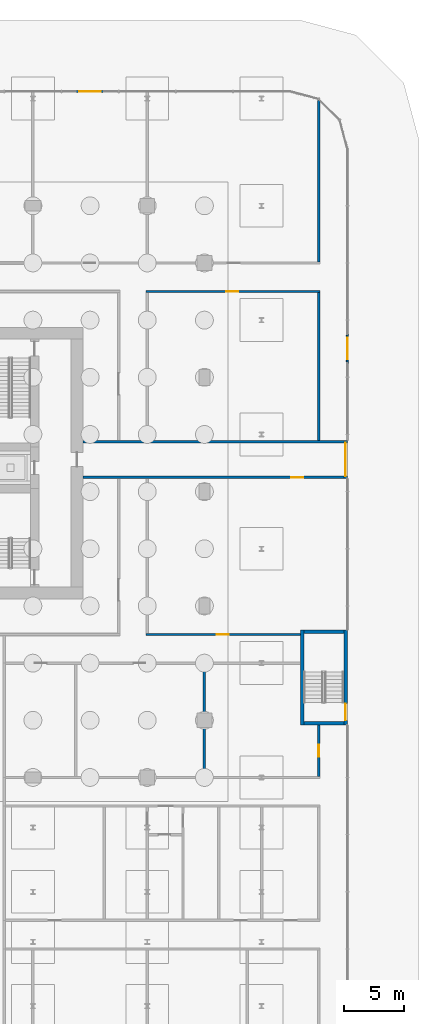
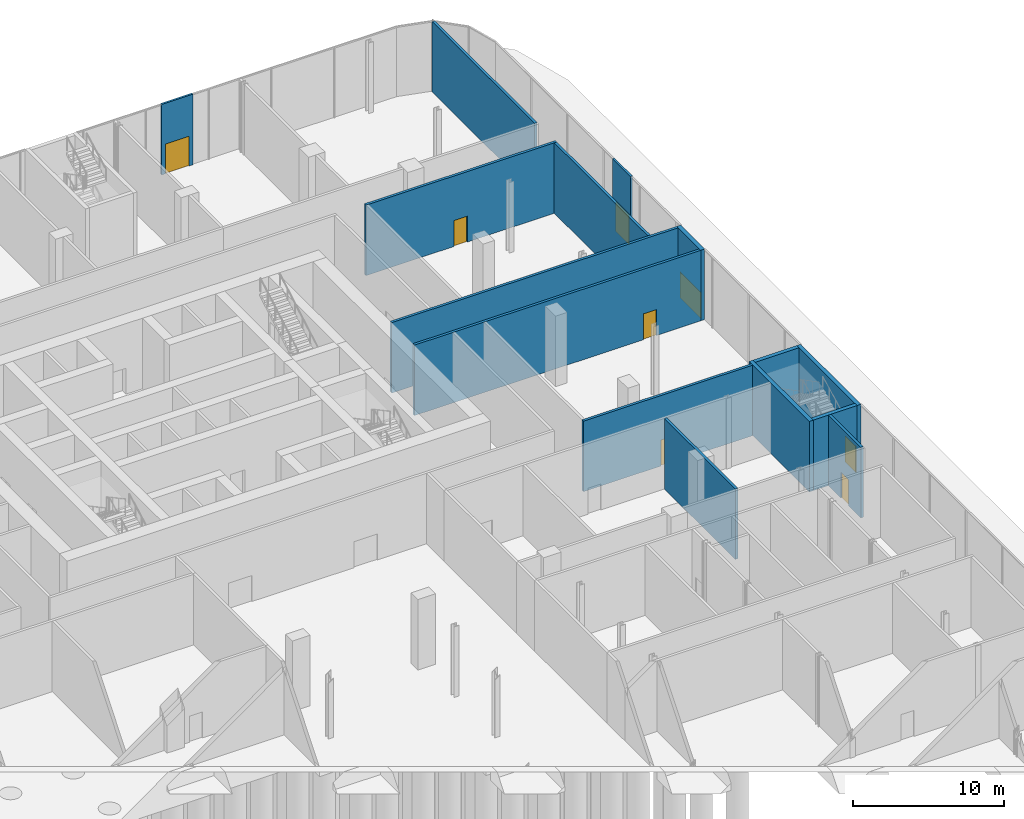
# One storey, part 36 of 44: 15 walls, 8 doors, 8 openings.
"""IFC4 building model written with IfcOpenShell, lengths in metres."""

from ifc_helpers import new_model, si_unit, direction, frame, frame_2d, origin, place, context, subcontext, project, spatial, rectangle, extrude, material, layer, layer_set, type_object, element, fill, save


model = new_model("IFC4")

# Units and contexts
model_context = context("Model", 3, precision=1e-05, world=origin(), true_north=direction((0.0, 1.0)))
body_context = subcontext(model_context, "Body", "Model", "MODEL_VIEW")
ifc_project = project(units=[si_unit("LENGTHUNIT", "METRE"), si_unit("AREAUNIT", "SQUARE_METRE"), si_unit("VOLUMEUNIT", "CUBIC_METRE"), si_unit("PLANEANGLEUNIT", "RADIAN"), si_unit("MASSUNIT", "GRAM", prefix="KILO")], contexts=[model_context])

# Site, building, storey
site_placement = place(None, origin())
site = spatial("IfcSite", under=ifc_project, at=site_placement, CompositionType="ELEMENT")
building_placement = place(site_placement, origin())
building = spatial("IfcBuilding", under=site, at=building_placement, Name="Madar Terraces", CompositionType="ELEMENT")
storey_placement = place(building_placement, origin())
storey = spatial("IfcBuildingStorey", under=building, at=storey_placement, Name="L00", CompositionType="ELEMENT", Elevation=0.0)

# Wall, opening, door
ifc_material_1 = material(Name="Concrete C40/50", Category="concrete")
ifc_layer_1 = layer(ifc_material_1, 0.300048828125)
ifc_layer_set_1 = layer_set([ifc_layer_1], Name="Exit passage end wall 300 C40/50")
wall_type_1 = type_object("IfcWallType", Name="Exit passage end wall 300 C40/50", PredefinedType="SOLIDWALL", material=ifc_layer_set_1)
wall_1_placement = place(storey_placement, frame((69.449951171875, 25.10009765625, 0.0), z_axis=(0.0, 0.0, 1.0), x_axis=(0.0, 1.0, 0.0)))
wall_1 = element("IfcWall", 1, at=wall_1_placement, inside=storey, type_object=wall_type_1, Name="EXIT PASSAGE END WALL", PredefinedType="SOLIDWALL", context=body_context, shape_type="SweptSolid", body=[
    extrude(rectangle(XDim=3.199951171875, YDim=0.300048828125, at=frame_2d((1.60009765625, 0.0))), origin(), (0.0, 0.0, 1.0), 5.699951171875),
])
opening_1_placement = place(wall_1_placement, frame((0.199951171875, 0.0, 0.0)))
opening_1 = element("IfcOpeningElement", 2, at=opening_1_placement, cuts=wall_1, Name="Opening XD1", PredefinedType="OPENING", context=body_context, shape_type="SweptSolid", body=[
    extrude(rectangle(XDim=2.800048828125, YDim=2.10009765625, at=frame_2d((1.39990234375, 1.050048828125))), frame((0.0, 0.159912109375, 0.0), z_axis=(0.0, -1.0, 0.0), x_axis=(1.0, 0.0, 0.0)), (0.0, 0.0, 1.0), 0.320068359375),
])
ifc_material_2 = material(Name="Steel door leaf", Category="steel")
door_type_1 = type_object("IfcDoorType", Name="Exit passage door pair 2800 x 2100", OperationType="DOUBLE_DOOR_SINGLE_SWING", PredefinedType="DOOR", material=ifc_material_2)
door_1_placement = place(opening_1_placement, frame((2.800048828125, 0.0, 0.0), z_axis=(0.0, 0.0, 1.0), x_axis=(-1.0, 0.0, 0.0)))
door_1 = element("IfcDoor", 3, at=door_1_placement, inside=storey, type_object=door_type_1, Name="EXIT DOOR", OperationType="DOUBLE_DOOR_SINGLE_SWING", OverallHeight=2.10009765625, OverallWidth=2.800048828125, PredefinedType="DOOR", context=body_context, shape_type="SweptSolid", body=[
    extrude(rectangle(XDim=2.800048828125, YDim=2.10009765625, at=frame_2d((1.39990234375, 1.050048828125))), frame((0.0, 0.02490234375, 0.0), z_axis=(0.0, -1.0, 0.0), x_axis=(1.0, 0.0, 0.0)), (0.0, 0.0, 1.0), 0.050048828125),
])
fill(opening_1, door_1)

ifc_material_3 = material(Name="Masonry blockwork", Category="masonry")
ifc_layer_2 = layer(ifc_material_3, 0.199951171875)
ifc_layer_set_2 = layer_set([ifc_layer_2], Name="Exit passage wall 200 blockwork")
wall_type_2 = type_object("IfcWallType", Name="Exit passage wall 200 blockwork", PredefinedType="PARTITIONING", material=ifc_layer_set_2)
wall_2_placement = place(storey_placement, frame((47.39990234375, 25.199951171875, 0.0), z_axis=(0.0, 0.0, 1.0), x_axis=(1.0, 0.0, 0.0)))
wall_2 = element("IfcWall", 4, at=wall_2_placement, inside=storey, type_object=wall_type_2, Name="EXIT PASSAGE WALL", PredefinedType="PARTITIONING", context=body_context, shape_type="SweptSolid", body=[
    extrude(rectangle(XDim=21.900146484375, YDim=0.199951171875, at=frame_2d((10.9501953125, 0.0))), origin(), (0.0, 0.0, 1.0), 5.699951171875),
])
opening_2_placement = place(wall_2_placement, frame((17.5, 0.0, 0.0)))
opening_2 = element("IfcOpeningElement", 5, at=opening_2_placement, cuts=wall_2, Name="Opening KD2", PredefinedType="OPENING", context=body_context, shape_type="SweptSolid", body=[
    extrude(rectangle(XDim=1.0, YDim=2.10009765625, at=frame_2d((0.5, 1.050048828125))), frame((0.0, 0.10986328125, 0.0), z_axis=(0.0, -1.0, 0.0), x_axis=(1.0, 0.0, 0.0)), (0.0, 0.0, 1.0), 0.219970703125),
])
ifc_material_4 = material(Name="Steel door leaf", Category="steel")
door_type_2 = type_object("IfcDoorType", Name="Service room door 1000 x 2100", OperationType="NOTDEFINED", PredefinedType="DOOR", material=ifc_material_4)
door_2_placement = place(opening_2_placement, origin())
door_2 = element("IfcDoor", 6, at=door_2_placement, inside=storey, type_object=door_type_2, Name="SERVICE ROOM DOOR", OperationType="SINGLE_SWING_LEFT", OverallHeight=2.10009765625, OverallWidth=1.0, PredefinedType="DOOR", context=body_context, shape_type="SweptSolid", body=[
    extrude(rectangle(XDim=1.0, YDim=2.10009765625, at=frame_2d((0.5, 1.050048828125))), frame((0.0, 0.02490234375, 0.0), z_axis=(0.0, -1.0, 0.0), x_axis=(1.0, 0.0, 0.0)), (0.0, 0.0, 1.0), 0.050048828125),
])
fill(opening_2, door_2)

# Wall
wall_3_placement = place(storey_placement, frame((47.39990234375, 28.199951171875, 0.0), z_axis=(0.0, 0.0, 1.0), x_axis=(1.0, 0.0, 0.0)))
element("IfcWall", 7, at=wall_3_placement, inside=storey, type_object=wall_type_2, Name="EXIT PASSAGE WALL", PredefinedType="PARTITIONING", context=body_context, shape_type="SweptSolid", body=[
    extrude(rectangle(XDim=21.900146484375, YDim=0.199951171875, at=frame_2d((10.9501953125, 0.0))), origin(), (0.0, 0.0, 1.0), 5.699951171875),
])

# Wall, opening, door
ifc_material_5 = material(Name="Aluminium composite panel, black, over insulated backing", Category="aluminium")
ifc_layer_3 = layer(ifc_material_5, 0.14990234375)
ifc_layer_set_3 = layer_set([ifc_layer_3], Name="Facade bay panel 150")
wall_type_3 = type_object("IfcWallType", Name="Facade bay panel 150", PredefinedType="SOLIDWALL", material=ifc_layer_set_3)
wall_4_placement = place(storey_placement, frame((69.60009765625, 34.800048828125, 0.0), z_axis=(0.0, 0.0, 1.0), x_axis=(0.0, 1.0, 0.0)))
wall_4 = element("IfcWall", 8, at=wall_4_placement, inside=storey, type_object=wall_type_3, Name="Facade bay panel", PredefinedType="SOLIDWALL", context=body_context, shape_type="SweptSolid", body=[
    extrude(rectangle(XDim=2.39990234375, YDim=0.14990234375, at=frame_2d((1.199951171875, 0.0))), origin(), (0.0, 0.0, 1.0), 5.699951171875),
])
opening_3_placement = place(wall_4_placement, frame((0.300048828125, 0.0, 0.0)))
opening_3 = element("IfcOpeningElement", 9, at=opening_3_placement, cuts=wall_4, Name="Opening ED1", PredefinedType="OPENING", context=body_context, shape_type="SweptSolid", body=[
    extrude(rectangle(XDim=1.800048828125, YDim=2.39990234375, at=frame_2d((0.89990234375, 1.199951171875))), frame((0.0, 0.0849609375, 0.0), z_axis=(0.0, -1.0, 0.0), x_axis=(1.0, 0.0, 0.0)), (0.0, 0.0, 1.0), 0.169921875),
])
ifc_material_6 = material(Name="Glass, clear, with black aluminium frame", Category="aluminium")
door_type_3 = type_object("IfcDoorType", Name="Balcony and terrace sliding door 1800 x 2400", OperationType="SLIDING_TO_LEFT", PredefinedType="DOOR", material=ifc_material_6)
door_3_placement = place(opening_3_placement, origin())
door_3 = element("IfcDoor", 10, at=door_3_placement, inside=storey, type_object=door_type_3, Name="Balcony door", OperationType="SLIDING_TO_RIGHT", OverallHeight=2.39990234375, OverallWidth=1.800048828125, PredefinedType="DOOR", context=body_context, shape_type="SweptSolid", body=[
    extrude(rectangle(XDim=1.800048828125, YDim=2.39990234375, at=frame_2d((0.89990234375, 1.199951171875))), frame((0.0, 0.02490234375, 0.0), z_axis=(0.0, -1.0, 0.0), x_axis=(1.0, 0.0, 0.0)), (0.0, 0.0, 1.0), 0.050048828125),
])
fill(opening_3, door_3)

wall_5_placement = place(storey_placement, frame((46.800048828125, 57.60009765625, 0.0), z_axis=(0.0, 0.0, 1.0), x_axis=(1.0, 0.0, 0.0)))
wall_5 = element("IfcWall", 11, at=wall_5_placement, inside=storey, type_object=wall_type_3, Name="Facade bay panel", PredefinedType="SOLIDWALL", context=body_context, shape_type="SweptSolid", body=[
    extrude(rectangle(XDim=2.39990234375, YDim=0.14990234375, at=frame_2d((1.199951171875, 0.0))), origin(), (0.0, 0.0, 1.0), 5.699951171875),
])
opening_4_placement = place(wall_5_placement, frame((0.300048828125, 0.0, 0.0)))
opening_4 = element("IfcOpeningElement", 12, at=opening_4_placement, cuts=wall_5, Name="Opening ED8", PredefinedType="OPENING", context=body_context, shape_type="SweptSolid", body=[
    extrude(rectangle(XDim=1.800048828125, YDim=2.39990234375, at=frame_2d((0.89990234375, 1.199951171875))), frame((0.0, 0.0849609375, 0.0), z_axis=(0.0, -1.0, 0.0), x_axis=(1.0, 0.0, 0.0)), (0.0, 0.0, 1.0), 0.169921875),
])
ifc_material_7 = material(Name="Steel, powder-coated", Category="steel")
door_type_4 = type_object("IfcDoorType", Name="Service double door 1800 x 2400", OperationType="NOTDEFINED", PredefinedType="DOOR", material=ifc_material_7)
door_4_placement = place(opening_4_placement, origin())
door_4 = element("IfcDoor", 13, at=door_4_placement, inside=storey, type_object=door_type_4, Name="Service door", OperationType="DOUBLE_DOOR_SINGLE_SWING", OverallHeight=2.39990234375, OverallWidth=1.800048828125, PredefinedType="DOOR", context=body_context, shape_type="SweptSolid", body=[
    extrude(rectangle(XDim=1.800048828125, YDim=2.39990234375, at=frame_2d((0.89990234375, 1.199951171875))), frame((0.0, 0.02490234375, 0.0), z_axis=(0.0, -1.0, 0.0), x_axis=(1.0, 0.0, 0.0)), (0.0, 0.0, 1.0), 0.050048828125),
])
fill(opening_4, door_4)

ifc_material_8 = material(Name="Blockwork", Category="masonry")
ifc_layer_4 = layer(ifc_material_8, 0.199951171875)
ifc_layer_set_4 = layer_set([ifc_layer_4], Name="Partition 200 EI 120")
wall_type_4 = type_object("IfcWallType", Name="Partition 200 EI 120", PredefinedType="PARTITIONING", material=ifc_layer_set_4)
wall_6_placement = place(storey_placement, frame((52.699951171875, 12.0, 0.0), z_axis=(0.0, 0.0, 1.0), x_axis=(1.0, 0.0, 0.0)))
wall_6 = element("IfcWall", 14, at=wall_6_placement, inside=storey, type_object=wall_type_4, Name="Wall SWITCH ROOM / PODIUM CORRIDOR", PredefinedType="PARTITIONING", context=body_context, shape_type="SweptSolid", body=[
    extrude(rectangle(XDim=12.949951171875, YDim=0.199951171875, at=frame_2d((6.47509765625, 0.0))), origin(), (0.0, 0.0, 1.0), 5.699951171875),
])
opening_5_placement = place(wall_6_placement, frame((5.949951171875, 0.0, 0.0)))
opening_5 = element("IfcOpeningElement", 15, at=opening_5_placement, cuts=wall_6, Name="Opening D33", PredefinedType="OPENING", context=body_context, shape_type="SweptSolid", body=[
    extrude(rectangle(XDim=1.0, YDim=2.10009765625, at=frame_2d((0.5, 1.050048828125))), frame((0.0, 0.10986328125, 0.0), z_axis=(0.0, -1.0, 0.0), x_axis=(1.0, 0.0, 0.0)), (0.0, 0.0, 1.0), 0.219970703125),
])
ifc_material_9 = material(Name="Timber door leaf, fire-rated", Category="wood")
door_type_5 = type_object("IfcDoorType", Name="Podium door 1000 x 2100 FD90S", OperationType="NOTDEFINED", PredefinedType="DOOR", material=ifc_material_9)
door_5_placement = place(opening_5_placement, origin())
door_5 = element("IfcDoor", 16, at=door_5_placement, inside=storey, type_object=door_type_5, Name="Door SWITCH ROOM / PODIUM CORRIDOR", OperationType="SINGLE_SWING_LEFT", OverallHeight=2.10009765625, OverallWidth=1.0, PredefinedType="DOOR", context=body_context, shape_type="SweptSolid", body=[
    extrude(rectangle(XDim=1.0, YDim=2.10009765625, at=frame_2d((0.5, 1.050048828125))), frame((0.0, 0.02490234375, 0.0), z_axis=(0.0, -1.0, 0.0), x_axis=(1.0, 0.0, 0.0)), (0.0, 0.0, 1.0), 0.050048828125),
])
fill(opening_5, door_5)

# Wall
wall_7_placement = place(storey_placement, frame((67.199951171875, 43.300048828125, 0.0), z_axis=(0.0, 0.0, 1.0), x_axis=(0.0, 1.0, 0.0)))
element("IfcWall", 17, at=wall_7_placement, inside=storey, type_object=wall_type_4, Name="Wall ENERGY CENTRE / PODIUM CORRIDOR", PredefinedType="PARTITIONING", context=body_context, shape_type="SweptSolid", body=[
    extrude(rectangle(XDim=13.56005859375, YDim=0.199951171875, at=frame_2d((6.780029296875, 0.0))), origin(), (0.0, 0.0, 1.0), 5.699951171875),
])

# Wall, opening, door
ifc_material_10 = material(Name="Gypsum board partition, fire-rated")
ifc_layer_5 = layer(ifc_material_10, 0.199951171875)
ifc_layer_set_5 = layer_set([ifc_layer_5], Name="Partition 200 EI 60")
wall_type_5 = type_object("IfcWallType", Name="Partition 200 EI 60", PredefinedType="PARTITIONING", material=ifc_layer_set_5)
wall_8_placement = place(storey_placement, frame((67.300048828125, 40.800048828125, 0.0), z_axis=(0.0, 0.0, 1.0), x_axis=(-1.0, 0.0, 0.0)))
wall_8 = element("IfcWall", 18, at=wall_8_placement, inside=storey, type_object=wall_type_5, Name="Wall STAFF ROOM / PODIUM CORRIDOR", PredefinedType="PARTITIONING", context=body_context, shape_type="SweptSolid", body=[
    extrude(rectangle(XDim=14.60009765625, YDim=0.199951171875, at=frame_2d((7.300048828125, 0.0))), origin(), (0.0, 0.0, 1.0), 5.699951171875),
])
opening_6_placement = place(wall_8_placement, frame((6.85009765625, 0.0, 0.0)))
opening_6 = element("IfcOpeningElement", 19, at=opening_6_placement, cuts=wall_8, Name="Opening D31", PredefinedType="OPENING", context=body_context, shape_type="SweptSolid", body=[
    extrude(rectangle(XDim=1.0, YDim=2.10009765625, at=frame_2d((0.5, 1.050048828125))), frame((0.0, 0.10986328125, 0.0), z_axis=(0.0, -1.0, 0.0), x_axis=(1.0, 0.0, 0.0)), (0.0, 0.0, 1.0), 0.219970703125),
])
ifc_material_11 = material(Name="Timber door leaf, fire-rated", Category="wood")
door_type_6 = type_object("IfcDoorType", Name="Podium door 1000 x 2100 FD30S", OperationType="NOTDEFINED", PredefinedType="DOOR", material=ifc_material_11)
door_6_placement = place(opening_6_placement, origin())
door_6 = element("IfcDoor", 20, at=door_6_placement, inside=storey, type_object=door_type_6, Name="Door STAFF ROOM / PODIUM CORRIDOR", OperationType="SINGLE_SWING_RIGHT", OverallHeight=2.10009765625, OverallWidth=1.0, PredefinedType="DOOR", context=body_context, shape_type="SweptSolid", body=[
    extrude(rectangle(XDim=1.0, YDim=2.10009765625, at=frame_2d((0.5, 1.050048828125))), frame((0.0, 0.02490234375, 0.0), z_axis=(0.0, -1.0, 0.0), x_axis=(1.0, 0.0, 0.0)), (0.0, 0.0, 1.0), 0.050048828125),
])
fill(opening_6, door_6)

# Wall
wall_9_placement = place(storey_placement, frame((57.60009765625, 0.10009765625, 0.0), z_axis=(0.0, 0.0, 1.0), x_axis=(0.0, 1.0, 0.0)))
element("IfcWall", 21, at=wall_9_placement, inside=storey, type_object=wall_type_5, Name="Wall HOUSING OFFICE / OFFICE", PredefinedType="PARTITIONING", context=body_context, shape_type="SweptSolid", body=[
    extrude(rectangle(XDim=9.39990234375, YDim=0.199951171875, at=frame_2d((4.699951171875, 0.0))), origin(), (0.0, 0.0, 1.0), 5.699951171875),
])

# Wall, opening, door
wall_10_placement = place(storey_placement, frame((67.199951171875, 0.10009765625, 0.0), z_axis=(0.0, 0.0, 1.0), x_axis=(0.0, 1.0, 0.0)))
wall_10 = element("IfcWall", 22, at=wall_10_placement, inside=storey, type_object=wall_type_5, Name="Wall OFFICE / PODIUM CORRIDOR", PredefinedType="PARTITIONING", context=body_context, shape_type="SweptSolid", body=[
    extrude(rectangle(XDim=4.2998046875, YDim=0.199951171875, at=frame_2d((2.14990234375, 0.0))), origin(), (0.0, 0.0, 1.0), 5.699951171875),
])
opening_7_placement = place(wall_10_placement, frame((1.64990234375, 0.0, 0.0)))
opening_7 = element("IfcOpeningElement", 23, at=opening_7_placement, cuts=wall_10, Name="Opening D31", PredefinedType="OPENING", context=body_context, shape_type="SweptSolid", body=[
    extrude(rectangle(XDim=1.0, YDim=2.10009765625, at=frame_2d((0.5, 1.050048828125))), frame((0.0, 0.10986328125, 0.0), z_axis=(0.0, -1.0, 0.0), x_axis=(1.0, 0.0, 0.0)), (0.0, 0.0, 1.0), 0.219970703125),
])
door_7_placement = place(opening_7_placement, origin())
door_7 = element("IfcDoor", 24, at=door_7_placement, inside=storey, type_object=door_type_6, Name="Door OFFICE / PODIUM CORRIDOR", OperationType="SINGLE_SWING_LEFT", OverallHeight=2.10009765625, OverallWidth=1.0, PredefinedType="DOOR", context=body_context, shape_type="SweptSolid", body=[
    extrude(rectangle(XDim=1.0, YDim=2.10009765625, at=frame_2d((0.5, 1.050048828125))), frame((0.0, 0.02490234375, 0.0), z_axis=(0.0, -1.0, 0.0), x_axis=(1.0, 0.0, 0.0)), (0.0, 0.0, 1.0), 0.050048828125),
])
fill(opening_7, door_7)

# Walls
wall_11_placement = place(storey_placement, frame((67.199951171875, 28.300048828125, 0.0), z_axis=(0.0, 0.0, 1.0), x_axis=(0.0, 1.0, 0.0)))
element("IfcWall", 25, at=wall_11_placement, inside=storey, type_object=wall_type_5, Name="Wall STAFF ROOM / PODIUM CORRIDOR", PredefinedType="PARTITIONING", context=body_context, shape_type="SweptSolid", body=[
    extrude(rectangle(XDim=12.39990234375, YDim=0.199951171875, at=frame_2d((6.199951171875, 0.0))), origin(), (0.0, 0.0, 1.0), 5.699951171875),
])
ifc_material_12 = material(Name="Concrete C40/50", Category="concrete")
ifc_layer_6 = layer(ifc_material_12, 0.300048828125)
ifc_layer_set_6 = layer_set([ifc_layer_6], Name="Podium stair wall 300 C40/50")
wall_type_6 = type_object("IfcWallType", Name="Podium stair wall 300 C40/50", PredefinedType="SOLIDWALL", material=ifc_layer_set_6)
wall_12_placement = place(storey_placement, frame((65.800048828125, 4.39990234375, 0.0), z_axis=(0.0, 0.0, 1.0), x_axis=(0.0, 1.0, 0.0)))
element("IfcWall", 26, at=wall_12_placement, inside=storey, type_object=wall_type_6, Name="PODIUM STAIR WALL", PredefinedType="SOLIDWALL", context=body_context, shape_type="SweptSolid", body=[
    extrude(rectangle(XDim=8.0, YDim=0.300048828125, at=frame_2d((4.0, 0.0))), origin(), (0.0, 0.0, 1.0), 5.699951171875),
])
for number, where, z_axis, x_axis, name in (
    (27, (65.949951171875, 4.550048828125, 0.0), (0.0, 0.0, 1.0), (1.0, 0.0, 0.0), "PODIUM STAIR WALL"),
    (28, (65.949951171875, 12.25, 0.0), (0.0, 0.0, 1.0), (1.0, 0.0, 0.0), "PODIUM STAIR WALL"),
):
    element("IfcWall", number, at=place(storey_placement, frame(where, z_axis=z_axis, x_axis=x_axis)), inside=storey, type_object=wall_type_6, Name=name, PredefinedType="SOLIDWALL", context=body_context, shape_type="SweptSolid", body=[
        extrude(rectangle(XDim=3.35009765625, YDim=0.300048828125, at=frame_2d((1.675048828125, 0.0))), origin(), (0.0, 0.0, 1.0), 5.699951171875),
    ])

# Wall, opening, door
ifc_material_13 = material(Name="Concrete C40/50", Category="concrete")
ifc_layer_7 = layer(ifc_material_13, 0.300048828125)
ifc_layer_set_7 = layer_set([ifc_layer_7], Name="Podium stair wall 300 C40/50, external")
wall_type_7 = type_object("IfcWallType", Name="Podium stair wall 300 C40/50, external", PredefinedType="SOLIDWALL", material=ifc_layer_set_7)
wall_13_placement = place(storey_placement, frame((69.449951171875, 4.39990234375, 0.0), z_axis=(0.0, 0.0, 1.0), x_axis=(0.0, 1.0, 0.0)))
wall_13 = element("IfcWall", 29, at=wall_13_placement, inside=storey, type_object=wall_type_7, Name="PODIUM STAIR WALL", PredefinedType="SOLIDWALL", context=body_context, shape_type="SweptSolid", body=[
    extrude(rectangle(XDim=8.0, YDim=0.300048828125, at=frame_2d((4.0, 0.0))), origin(), (0.0, 0.0, 1.0), 5.699951171875),
])
opening_8_placement = place(wall_13_placement, frame((0.39990234375, 0.0, 0.0)))
opening_8 = element("IfcOpeningElement", 30, at=opening_8_placement, cuts=wall_13, Name="Opening PSD2", PredefinedType="OPENING", context=body_context, shape_type="SweptSolid", body=[
    extrude(rectangle(XDim=1.39990234375, YDim=2.10009765625, at=frame_2d((0.699951171875, 1.050048828125))), frame((0.0, 0.159912109375, 0.0), z_axis=(0.0, -1.0, 0.0), x_axis=(1.0, 0.0, 0.0)), (0.0, 0.0, 1.0), 0.320068359375),
])
ifc_material_14 = material(Name="Steel door leaf", Category="steel")
door_type_7 = type_object("IfcDoorType", Name="Podium stair exit door pair 1400 x 2100", OperationType="DOUBLE_DOOR_SINGLE_SWING", PredefinedType="DOOR", material=ifc_material_14)
door_8_placement = place(opening_8_placement, frame((1.39990234375, 0.0, 0.0), z_axis=(0.0, 0.0, 1.0), x_axis=(-1.0, 0.0, 0.0)))
door_8 = element("IfcDoor", 31, at=door_8_placement, inside=storey, type_object=door_type_7, Name="STAIR EXIT DOOR", OperationType="DOUBLE_DOOR_SINGLE_SWING", OverallHeight=2.10009765625, OverallWidth=1.39990234375, PredefinedType="DOOR", context=body_context, shape_type="SweptSolid", body=[
    extrude(rectangle(XDim=1.39990234375, YDim=2.10009765625, at=frame_2d((0.699951171875, 1.050048828125))), frame((0.0, 0.02490234375, 0.0), z_axis=(0.0, -1.0, 0.0), x_axis=(1.0, 0.0, 0.0)), (0.0, 0.0, 1.0), 0.050048828125),
])
fill(opening_8, door_8)

save(model, "model.ifc")
